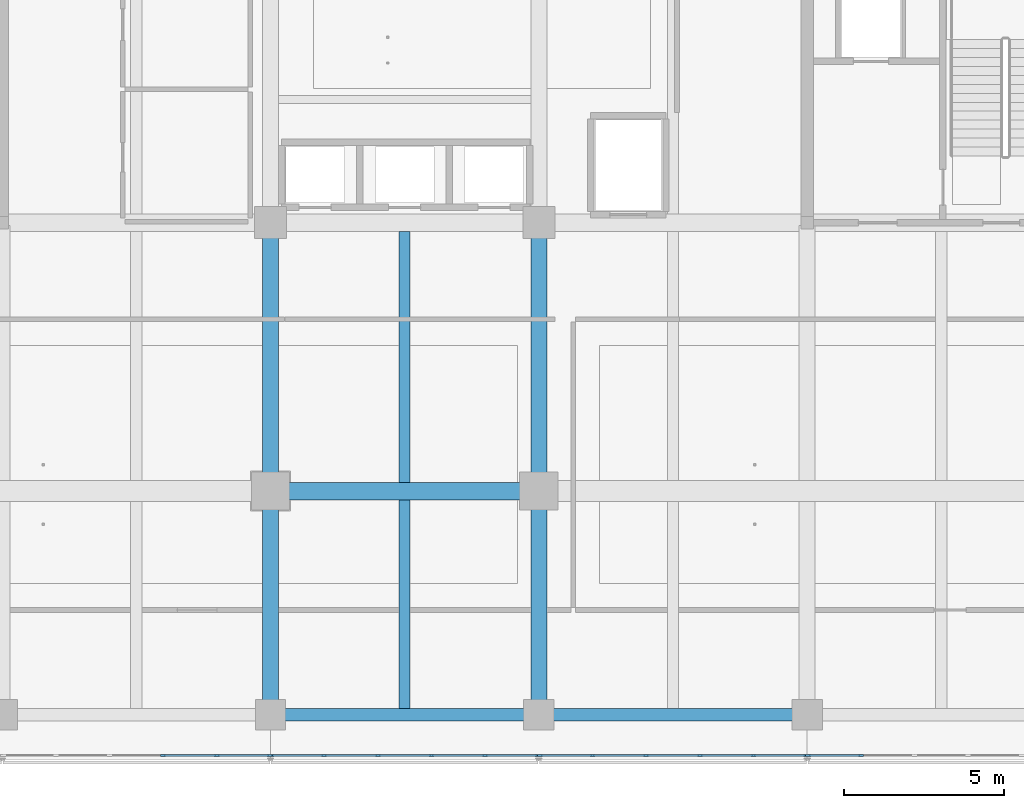
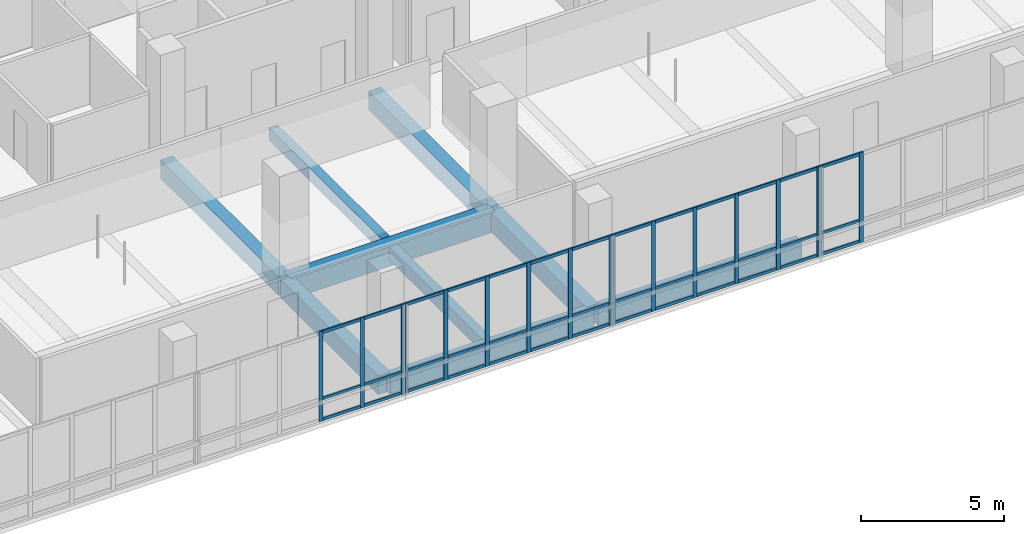
# One storey, part 19 of 128: 56 members, 9 beams, 4 elements without a shape of their own.
"""IFC4 building model written with IfcOpenShell, lengths in metres."""

import ifcopenshell
import ifcopenshell.guid

model = None  # the IFC model being written
_history = None  # IfcOwnerHistory: only IFC2X3 demands one
_inside = {}  # id of a spatial element -> (the spatial element, [elements in it])
_under = {}  # id of a project, library or spatial element -> (it, [spatial elements below it])
_declared = {}  # id of a project -> (the project, [libraries it declares])
_typed = {}  # id of a type object -> (the type object, [elements of that type])
_made_of = {}  # id of a material, layer set ... -> (it, [elements and type objects made of it])


def new_model(schema):
    """Start an empty IFC model of exactly this schema.

    Asked for "IFC4X3", IfcOpenShell would pick the latest addendum, in which some entities
    have other attributes; the version numbers below select the first issue.
    IFC2X3 requires an IfcOwnerHistory on every rooted entity: one is made here for all.
    """
    global model, _history
    if schema == "IFC4X3":
        model = ifcopenshell.file(schema_version=(4, 3, 0, 0))
    else:
        model = ifcopenshell.file(schema=schema)
    _inside.clear()
    _under.clear()
    _declared.clear()
    _typed.clear()
    _made_of.clear()
    _history = None
    if model.schema == "IFC2X3":
        org = make("IfcOrganization", Name="unknown")
        user = make(
            "IfcPersonAndOrganization",
            ThePerson=make("IfcPerson", FamilyName="unknown"),
            TheOrganization=org,
        )
        app = make(
            "IfcApplication",
            ApplicationDeveloper=org,
            Version="unknown",
            ApplicationFullName="unknown",
            ApplicationIdentifier="unknown",
        )
        _history = make(
            "IfcOwnerHistory",
            OwningUser=user,
            OwningApplication=app,
            ChangeAction="ADDED",
            CreationDate=0,
        )
    return model


def make(cls, **values):
    """One entity of the class cls with the attributes given. An attribute that is None is left unset."""
    return model.create_entity(
        cls, **{name: value for name, value in values.items() if value is not None}
    )


def rooted(cls, **values):
    """An entity with a GlobalId (a new one), such as an element, a storey or a relation."""
    return make(cls, GlobalId=ifcopenshell.guid.new(), OwnerHistory=_history, **values)


def si_unit(unit_type, name, prefix=None):
    """IfcSIUnit, for example si_unit("LENGTHUNIT", "METRE", prefix="MILLI")."""
    return make("IfcSIUnit", UnitType=unit_type, Prefix=prefix, Name=name)


def assignment(units):
    """IfcUnitAssignment: the units of a project."""
    return None if units is None else make("IfcUnitAssignment", Units=units)


def point(xyz):
    """IfcCartesianPoint."""
    return None if xyz is None else make("IfcCartesianPoint", Coordinates=xyz)


def direction(xyz):
    """IfcDirection."""
    return None if xyz is None else make("IfcDirection", DirectionRatios=xyz)


def frame(location, z_axis=None, x_axis=None):
    """IfcAxis2Placement3D, a coordinate frame: its origin and axes. An axis left out is left unset."""
    return make(
        "IfcAxis2Placement3D",
        Location=point(location),
        Axis=direction(z_axis),
        RefDirection=direction(x_axis),
    )


def frame_2d(location, x_axis=None):
    """IfcAxis2Placement2D, a coordinate frame in the plane: its origin and x axis."""
    return make(
        "IfcAxis2Placement2D", Location=point(location), RefDirection=direction(x_axis)
    )


def origin():
    """The frame at (0, 0, 0) with its axes left unset."""
    return frame((0.0, 0.0, 0.0))


def origin_2d():
    """The frame at (0, 0) in the plane with its x axis left unset."""
    return frame_2d((0.0, 0.0))


def place(relative_to, where):
    """IfcLocalPlacement: puts the frame where relative to a parent placement (None: the world)."""
    return make(
        "IfcLocalPlacement", PlacementRelTo=relative_to, RelativePlacement=where
    )


def context(
    kind, dimensions, precision=None, world=None, true_north=None, identifier=None
):
    """IfcGeometricRepresentationContext, for example the 3D "Model" context."""
    return make(
        "IfcGeometricRepresentationContext",
        ContextIdentifier=identifier,
        ContextType=kind,
        CoordinateSpaceDimension=dimensions,
        Precision=precision,
        WorldCoordinateSystem=world,
        TrueNorth=true_north,
    )


def subcontext(parent, identifier, kind, view, scale=None):
    """IfcGeometricRepresentationSubContext, for example "Body" below "Model"."""
    return make(
        "IfcGeometricRepresentationSubContext",
        ContextIdentifier=identifier,
        ContextType=kind,
        ParentContext=parent,
        TargetScale=scale,
        TargetView=view,
    )


def project(units=None, contexts=None):
    """IfcProject with its units and contexts."""
    return rooted(
        "IfcProject",
        Name="project",
        RepresentationContexts=contexts,
        UnitsInContext=assignment(units),
    )


def spatial(cls, under=None, at=None, **own):
    """A site, building, storey or space (cls), placed at a placement, below another one or the project."""
    s = rooted(cls, ObjectPlacement=at, **own)
    if under is not None:
        _under.setdefault(under.id(), (under, []))[1].append(s)
    return s


def profile(cls, at=None, kind="AREA", **sizes):
    """A parametric profile (cls). Its sizes go by their IFC names, for example OverallWidth=200.0."""
    return make(cls, ProfileType=kind, Position=at, **sizes)


def rectangle(**sizes):
    """IfcRectangleProfileDef."""
    return profile("IfcRectangleProfileDef", **sizes)


def extrude(swept, where, along, depth):
    """IfcExtrudedAreaSolid: the profile swept, set in the frame where, extruded along a direction by depth."""
    return make(
        "IfcExtrudedAreaSolid",
        SweptArea=swept,
        Position=where,
        ExtrudedDirection=direction(along),
        Depth=depth,
    )


def shape(context_of_items, identifier, shape_type, items):
    """IfcShapeRepresentation: the items that make up one representation, for example the "Body"."""
    return make(
        "IfcShapeRepresentation",
        ContextOfItems=context_of_items,
        RepresentationIdentifier=identifier,
        RepresentationType=shape_type,
        Items=items,
    )


def material(Name=None, Category=None):
    """IfcMaterial."""
    return make("IfcMaterial", Name=Name, Category=Category)


def layer(
    of_material, thickness, ventilated=None, Name=None, Category=None, Priority=None
):
    """IfcMaterialLayer: one layer of a wall or slab, of a material (None: an air gap)."""
    return make(
        "IfcMaterialLayer",
        Material=of_material,
        LayerThickness=thickness,
        IsVentilated=ventilated,
        Name=Name,
        Category=Category,
        Priority=Priority,
    )


def layer_set(layers, Name=None):
    """IfcMaterialLayerSet."""
    return make("IfcMaterialLayerSet", MaterialLayers=layers, LayerSetName=Name)


def material_profile(
    of_material, cross_section, Name=None, Category=None, Priority=None
):
    """IfcMaterialProfile: a cross section and its material."""
    return make(
        "IfcMaterialProfile",
        Name=Name,
        Material=of_material,
        Profile=cross_section,
        Priority=Priority,
        Category=Category,
    )


def profile_set(profiles, Name=None, composite=None):
    """IfcMaterialProfileSet."""
    return make(
        "IfcMaterialProfileSet",
        Name=Name,
        MaterialProfiles=profiles,
        CompositeProfile=composite,
    )


def made_of(thing, what):
    """Note that an element or type object is made of a material, layer set ...; save() writes the relation."""
    if what is not None:
        _made_of.setdefault(what.id(), (what, []))[1].append(thing)
    return thing


def type_object(cls, material=None, **own):
    """A type object (cls), such as IfcWallType, which elements share."""
    return made_of(rooted(cls, **own), material)


def element(
    cls,
    number,
    at=None,
    inside=None,
    cuts=None,
    type_object=None,
    material=None,
    context=None,
    identifier="Body",
    shape_type=None,
    held_by="IfcProductDefinitionShape",
    body=None,
    shapes=None,
    **own,
):
    """One element of the class cls, such as IfcWall. Its Tag is "e" and its number.

    at: its placement. inside: the storey or other place that contains it. cuts: it is an
    opening in that element (IfcRelVoidsElement). A single representation is given by context,
    identifier, shape_type and body (its items); several are given by shapes. held_by: the class
    of the entity that holds the representations. save() writes the other relations.
    """
    e = rooted(cls, Tag="e%d" % number, ObjectPlacement=at, **own)
    if body is not None:
        shapes = [shape(context, identifier, shape_type, body)]
    if shapes is not None:
        e.Representation = make(held_by, Representations=shapes)
    if inside is not None:
        _inside.setdefault(inside.id(), (inside, []))[1].append(e)
    if cuts is not None:
        rooted(
            "IfcRelVoidsElement", RelatingBuildingElement=cuts, RelatedOpeningElement=e
        )
    if type_object is not None:
        _typed.setdefault(type_object.id(), (type_object, []))[1].append(e)
    return made_of(e, material)


def aggregate(whole, parts):
    """IfcRelAggregates: a whole, such as a stair, and the parts it consists of."""
    return rooted("IfcRelAggregates", RelatingObject=whole, RelatedObjects=parts)


def save(model, path):
    """Write the relations noted so far, then the file.

    IfcRelAggregates (storeys below a building ...), IfcRelContainedInSpatialStructure (elements
    in a storey), IfcRelDefinesByType, IfcRelAssociatesMaterial and IfcRelDeclares: one each for
    every whole, place, type object, material and project.
    """
    for whole, parts in _under.values():
        aggregate(whole, parts)
    for where, things in _inside.values():
        rooted(
            "IfcRelContainedInSpatialStructure",
            RelatedElements=things,
            RelatingStructure=where,
        )
    for kind, things in _typed.values():
        rooted("IfcRelDefinesByType", RelatedObjects=things, RelatingType=kind)
    for what, things in _made_of.values():
        rooted("IfcRelAssociatesMaterial", RelatedObjects=things, RelatingMaterial=what)
    for by, libraries in _declared.values():
        rooted("IfcRelDeclares", RelatingContext=by, RelatedDefinitions=libraries)
    model.write(path)


model = new_model("IFC4")

# Units and contexts
model_context = context("Model", 3, precision=1e-05, world=origin(), true_north=direction((0.0, 1.0)))
body_context = subcontext(model_context, "Body", "Model", "MODEL_VIEW")
ifc_project = project(units=[si_unit("LENGTHUNIT", "METRE"), si_unit("AREAUNIT", "SQUARE_METRE"), si_unit("VOLUMEUNIT", "CUBIC_METRE"), si_unit("PLANEANGLEUNIT", "RADIAN"), si_unit("MASSUNIT", "GRAM", prefix="KILO")], contexts=[model_context])

# Site, building, storey
site_placement = place(None, origin())
site = spatial("IfcSite", under=ifc_project, at=site_placement, CompositionType="ELEMENT")
building_placement = place(site_placement, origin())
building = spatial("IfcBuilding", under=site, at=building_placement, Name="Telukmera Botanical Conservatory", CompositionType="ELEMENT")
storey_placement = place(building_placement, frame((0.0, 0.0, 5.39990234375)))
storey = spatial("IfcBuildingStorey", under=building, at=storey_placement, Name="L01", CompositionType="ELEMENT", Elevation=5.39990234375)

# Beams
ifc_material_1 = material(Name="Concrete C40/50", Category="concrete")
ifc_material_profile_1 = material_profile(ifc_material_1, rectangle(XDim=0.35009765625, YDim=0.550048828125, at=origin_2d()), Name="RC 350x550")
ifc_profile_set_1 = profile_set([ifc_material_profile_1], Name="Concrete C40/50")
beam_type_1 = type_object("IfcBeamType", Name="Beam_B21", PredefinedType="JOIST", material=ifc_profile_set_1)
beam_1_placement = place(storey_placement, frame((79.800048828125, 10.800048828125, -0.27490234375), z_axis=(0.0, 1.0, 0.0), x_axis=(-1.0, 0.0, 0.0)))
element("IfcBeam", 1, at=beam_1_placement, inside=storey, type_object=beam_type_1, Name="Tower Secondary Floor Joist L01", PredefinedType="JOIST", context=body_context, shape_type="SweptSolid", body=[
    extrude(rectangle(XDim=0.35009765625, YDim=0.550048828125, at=origin_2d()), origin(), (0.0, 0.0, 1.0), 6.52490234375),
])
beam_2_placement = place(storey_placement, frame((79.800048828125, 17.875, -0.27490234375), z_axis=(0.0, 1.0, 0.0), x_axis=(-1.0, 0.0, 0.0)))
element("IfcBeam", 2, at=beam_2_placement, inside=storey, type_object=beam_type_1, Name="Tower Secondary Floor Joist L01", PredefinedType="JOIST", context=body_context, shape_type="SweptSolid", body=[
    extrude(rectangle(XDim=0.35009765625, YDim=0.550048828125, at=origin_2d()), origin(), (0.0, 0.0, 1.0), 7.85009765625),
])
ifc_material_profile_2 = material_profile(ifc_material_1, rectangle(XDim=0.550048828125, YDim=0.85009765625, at=origin_2d()), Name="RC 550x850")
ifc_profile_set_2 = profile_set([ifc_material_profile_2], Name="Concrete C40/50")
beam_type_2 = type_object("IfcBeamType", Name="Beam_B4", PredefinedType="BEAM", material=ifc_profile_set_2)
beam_3_placement = place(storey_placement, frame((75.679931640625, 17.60009765625, -0.4248046875), z_axis=(1.0, 0.0, 0.0), x_axis=(0.0, 1.0, 0.0)))
element("IfcBeam", 3, at=beam_3_placement, inside=storey, type_object=beam_type_2, Name="Tower Grid Beam L01", PredefinedType="BEAM", context=body_context, shape_type="SweptSolid", body=[
    extrude(rectangle(XDim=0.550048828125, YDim=0.85009765625, at=origin_2d()), origin(), (0.0, 0.0, 1.0), 8.239990234375),
])
ifc_material_profile_3 = material_profile(ifc_material_1, rectangle(XDim=0.5, YDim=0.800048828125, at=origin_2d()), Name="RC 500x800")
ifc_profile_set_3 = profile_set([ifc_material_profile_3], Name="Concrete C40/50")
beam_type_3 = type_object("IfcBeamType", Name="Beam_B5", PredefinedType="BEAM", material=ifc_profile_set_3)
beam_4_placement = place(storey_placement, frame((75.60009765625, 10.679931640625, -0.39990234375), z_axis=(0.0, 1.0, 0.0), x_axis=(-1.0, 0.0, 0.0)))
element("IfcBeam", 4, at=beam_4_placement, inside=storey, type_object=beam_type_3, Name="Tower Transverse Beam L01", PredefinedType="BEAM", context=body_context, shape_type="SweptSolid", body=[
    extrude(rectangle(XDim=0.5, YDim=0.800048828125, at=origin_2d()), origin(), (0.0, 0.0, 1.0), 6.840087890625),
])
beam_5_placement = place(storey_placement, frame((75.60009765625, 17.679931640625, -0.39990234375), z_axis=(0.0, 1.0, 0.0), x_axis=(-1.0, 0.0, 0.0)))
element("IfcBeam", 5, at=beam_5_placement, inside=storey, type_object=beam_type_3, Name="Tower Transverse Beam L01", PredefinedType="BEAM", context=body_context, shape_type="SweptSolid", body=[
    extrude(rectangle(XDim=0.5, YDim=0.800048828125, at=origin_2d()), origin(), (0.0, 0.0, 1.0), 8.239990234375),
])
beam_6_placement = place(storey_placement, frame((84.0, 10.679931640625, -0.39990234375), z_axis=(0.0, 1.0, 0.0), x_axis=(-1.0, 0.0, 0.0)))
element("IfcBeam", 6, at=beam_6_placement, inside=storey, type_object=beam_type_3, Name="Tower Transverse Beam L01", PredefinedType="BEAM", context=body_context, shape_type="SweptSolid", body=[
    extrude(rectangle(XDim=0.5, YDim=0.800048828125, at=origin_2d()), origin(), (0.0, 0.0, 1.0), 6.840087890625),
])
beam_7_placement = place(storey_placement, frame((84.0, 17.679931640625, -0.39990234375), z_axis=(0.0, 1.0, 0.0), x_axis=(-1.0, 0.0, 0.0)))
element("IfcBeam", 7, at=beam_7_placement, inside=storey, type_object=beam_type_3, Name="Tower Transverse Beam L01", PredefinedType="BEAM", context=body_context, shape_type="SweptSolid", body=[
    extrude(rectangle(XDim=0.5, YDim=0.800048828125, at=origin_2d()), origin(), (0.0, 0.0, 1.0), 8.239990234375),
])
ifc_material_2 = material(Name="Precast concrete C40/50", Category="concrete")
ifc_material_profile_4 = material_profile(ifc_material_2, rectangle(XDim=0.39990234375, YDim=0.75, at=origin_2d()), Name="PC 400x750")
ifc_profile_set_4 = profile_set([ifc_material_profile_4], Name="Precast concrete C40/50")
beam_type_4 = type_object("IfcBeamType", Name="Beam_SP1", PredefinedType="SPANDREL", material=ifc_profile_set_4)
for number, where, z_axis, x_axis, name in (
    (8, (75.679931640625, 10.60009765625, -0.375), (1.0, 0.0, 0.0), (0.0, 1.0, 0.0), "Tower Grid Beam L01"),
    (9, (84.080078125, 10.60009765625, -0.375), (1.0, 0.0, 0.0), (0.0, 1.0, 0.0), "Tower Grid Beam L01"),
):
    element("IfcBeam", number, at=place(storey_placement, frame(where, z_axis=z_axis, x_axis=x_axis)), inside=storey, type_object=beam_type_4, Name=name, PredefinedType="SPANDREL", context=body_context, shape_type="SweptSolid", body=[
        extrude(rectangle(XDim=0.39990234375, YDim=0.75, at=origin_2d()), origin(), (0.0, 0.0, 1.0), 8.239990234375),
    ])

# Curtain wall, members
ifc_material_3 = material(Name="Anodised aluminium 6063-T6", Category="aluminium")
ifc_layer = layer(ifc_material_3, 0.179931640625)
ifc_layer_set = layer_set([ifc_layer], Name="Anodised aluminium 6063-T6")
curtain_wall_type = type_object("IfcCurtainWallType", Name="Tower Reference Library Curtain Wall", PredefinedType="USERDEFINED", material=ifc_layer_set)
curtain_wall_1_placement = place(storey_placement, origin())
curtain_wall_1 = element("IfcCurtainWall", 10, at=curtain_wall_1_placement, inside=storey, type_object=curtain_wall_type, Name="Unitised Curtain Wall CW13 V4:L01:S3", ObjectType="UNITISED CURTAIN WALL", PredefinedType="USERDEFINED")
ifc_material_profile_5 = material_profile(ifc_material_3, rectangle(XDim=0.06494140625, YDim=0.159912109375, at=origin_2d()), Name="ALU MULL 65x160")
ifc_profile_set_5 = profile_set([ifc_material_profile_5], Name="Anodised aluminium 6063-T6")
member_type_1 = type_object("IfcMemberType", Name="Curtain Wall Extruded Mullion 65x160", PredefinedType="MULLION", material=ifc_profile_set_5)
member_1_placement = place(storey_placement, frame((72.239501953125, 9.320068359375, 0.0), z_axis=(0.0, 0.0, 1.0), x_axis=(0.0, 1.0, 0.0)))
member_1 = element("IfcMember", 11, at=member_1_placement, type_object=member_type_1, Name="CW13 mullion 4", PredefinedType="MULLION", context=body_context, shape_type="SweptSolid", body=[
    extrude(rectangle(XDim=0.06494140625, YDim=0.159912109375, at=origin_2d()), origin(), (0.0, 0.0, 1.0), 3.85009765625),
])
member_2_placement = place(storey_placement, frame((73.918701171875, 9.320068359375, 0.0), z_axis=(0.0, 0.0, 1.0), x_axis=(0.0, 1.0, 0.0)))
member_2 = element("IfcMember", 12, at=member_2_placement, type_object=member_type_1, Name="CW13 mullion 5", PredefinedType="MULLION", context=body_context, shape_type="SweptSolid", body=[
    extrude(rectangle(XDim=0.06494140625, YDim=0.159912109375, at=origin_2d()), origin(), (0.0, 0.0, 1.0), 3.85009765625),
])
member_3_placement = place(storey_placement, frame((75.5654296875, 9.320068359375, 0.0), z_axis=(0.0, 0.0, 1.0), x_axis=(0.0, 1.0, 0.0)))
member_3 = element("IfcMember", 13, at=member_3_placement, type_object=member_type_1, Name="CW13 mullion 6", PredefinedType="MULLION", context=body_context, shape_type="SweptSolid", body=[
    extrude(rectangle(XDim=0.06494140625, YDim=0.159912109375, at=origin_2d()), origin(), (0.0, 0.0, 1.0), 3.85009765625),
])

curtain_wall_2_placement = place(storey_placement, origin())
curtain_wall_2 = element("IfcCurtainWall", 14, at=curtain_wall_2_placement, inside=storey, type_object=curtain_wall_type, Name="Unitised Curtain Wall CW13 V4:L01:S4", ObjectType="UNITISED CURTAIN WALL", PredefinedType="USERDEFINED")
member_4_placement = place(storey_placement, frame((75.634521484375, 9.320068359375, 0.0), z_axis=(0.0, 0.0, 1.0), x_axis=(0.0, 1.0, 0.0)))
member_4 = element("IfcMember", 15, at=member_4_placement, type_object=member_type_1, Name="CW13 mullion 1", PredefinedType="MULLION", context=body_context, shape_type="SweptSolid", body=[
    extrude(rectangle(XDim=0.06494140625, YDim=0.159912109375, at=origin_2d()), origin(), (0.0, 0.0, 1.0), 3.85009765625),
])
member_5_placement = place(storey_placement, frame((77.28125, 9.320068359375, 0.0), z_axis=(0.0, 0.0, 1.0), x_axis=(0.0, 1.0, 0.0)))
member_5 = element("IfcMember", 16, at=member_5_placement, type_object=member_type_1, Name="CW13 mullion 2", PredefinedType="MULLION", context=body_context, shape_type="SweptSolid", body=[
    extrude(rectangle(XDim=0.06494140625, YDim=0.159912109375, at=origin_2d()), origin(), (0.0, 0.0, 1.0), 3.85009765625),
])
member_6_placement = place(storey_placement, frame((78.96044921875, 9.320068359375, 0.0), z_axis=(0.0, 0.0, 1.0), x_axis=(0.0, 1.0, 0.0)))
member_6 = element("IfcMember", 17, at=member_6_placement, type_object=member_type_1, Name="CW13 mullion 3", PredefinedType="MULLION", context=body_context, shape_type="SweptSolid", body=[
    extrude(rectangle(XDim=0.06494140625, YDim=0.159912109375, at=origin_2d()), origin(), (0.0, 0.0, 1.0), 3.85009765625),
])
member_7_placement = place(storey_placement, frame((80.6396484375, 9.320068359375, 0.0), z_axis=(0.0, 0.0, 1.0), x_axis=(0.0, 1.0, 0.0)))
member_7 = element("IfcMember", 18, at=member_7_placement, type_object=member_type_1, Name="CW13 mullion 4", PredefinedType="MULLION", context=body_context, shape_type="SweptSolid", body=[
    extrude(rectangle(XDim=0.06494140625, YDim=0.159912109375, at=origin_2d()), origin(), (0.0, 0.0, 1.0), 3.85009765625),
])
member_8_placement = place(storey_placement, frame((82.31884765625, 9.320068359375, 0.0), z_axis=(0.0, 0.0, 1.0), x_axis=(0.0, 1.0, 0.0)))
member_8 = element("IfcMember", 19, at=member_8_placement, type_object=member_type_1, Name="CW13 mullion 5", PredefinedType="MULLION", context=body_context, shape_type="SweptSolid", body=[
    extrude(rectangle(XDim=0.06494140625, YDim=0.159912109375, at=origin_2d()), origin(), (0.0, 0.0, 1.0), 3.85009765625),
])
member_9_placement = place(storey_placement, frame((83.965576171875, 9.320068359375, 0.0), z_axis=(0.0, 0.0, 1.0), x_axis=(0.0, 1.0, 0.0)))
member_9 = element("IfcMember", 20, at=member_9_placement, type_object=member_type_1, Name="CW13 mullion 6", PredefinedType="MULLION", context=body_context, shape_type="SweptSolid", body=[
    extrude(rectangle(XDim=0.06494140625, YDim=0.159912109375, at=origin_2d()), origin(), (0.0, 0.0, 1.0), 3.85009765625),
])

curtain_wall_3_placement = place(storey_placement, origin())
curtain_wall_3 = element("IfcCurtainWall", 21, at=curtain_wall_3_placement, inside=storey, type_object=curtain_wall_type, Name="Unitised Curtain Wall CW13 V4:L01:S5", ObjectType="UNITISED CURTAIN WALL", PredefinedType="USERDEFINED")
member_10_placement = place(storey_placement, frame((84.034423828125, 9.320068359375, 0.0), z_axis=(0.0, 0.0, 1.0), x_axis=(0.0, 1.0, 0.0)))
member_10 = element("IfcMember", 22, at=member_10_placement, type_object=member_type_1, Name="CW13 mullion 1", PredefinedType="MULLION", context=body_context, shape_type="SweptSolid", body=[
    extrude(rectangle(XDim=0.06494140625, YDim=0.159912109375, at=origin_2d()), origin(), (0.0, 0.0, 1.0), 3.85009765625),
])
member_11_placement = place(storey_placement, frame((85.68115234375, 9.320068359375, 0.0), z_axis=(0.0, 0.0, 1.0), x_axis=(0.0, 1.0, 0.0)))
member_11 = element("IfcMember", 23, at=member_11_placement, type_object=member_type_1, Name="CW13 mullion 2", PredefinedType="MULLION", context=body_context, shape_type="SweptSolid", body=[
    extrude(rectangle(XDim=0.06494140625, YDim=0.159912109375, at=origin_2d()), origin(), (0.0, 0.0, 1.0), 3.85009765625),
])
member_12_placement = place(storey_placement, frame((87.3603515625, 9.320068359375, 0.0), z_axis=(0.0, 0.0, 1.0), x_axis=(0.0, 1.0, 0.0)))
member_12 = element("IfcMember", 24, at=member_12_placement, type_object=member_type_1, Name="CW13 mullion 3", PredefinedType="MULLION", context=body_context, shape_type="SweptSolid", body=[
    extrude(rectangle(XDim=0.06494140625, YDim=0.159912109375, at=origin_2d()), origin(), (0.0, 0.0, 1.0), 3.85009765625),
])
member_13_placement = place(storey_placement, frame((89.03955078125, 9.320068359375, 0.0), z_axis=(0.0, 0.0, 1.0), x_axis=(0.0, 1.0, 0.0)))
member_13 = element("IfcMember", 25, at=member_13_placement, type_object=member_type_1, Name="CW13 mullion 4", PredefinedType="MULLION", context=body_context, shape_type="SweptSolid", body=[
    extrude(rectangle(XDim=0.06494140625, YDim=0.159912109375, at=origin_2d()), origin(), (0.0, 0.0, 1.0), 3.85009765625),
])
member_14_placement = place(storey_placement, frame((90.71875, 9.320068359375, 0.0), z_axis=(0.0, 0.0, 1.0), x_axis=(0.0, 1.0, 0.0)))
member_14 = element("IfcMember", 26, at=member_14_placement, type_object=member_type_1, Name="CW13 mullion 5", PredefinedType="MULLION", context=body_context, shape_type="SweptSolid", body=[
    extrude(rectangle(XDim=0.06494140625, YDim=0.159912109375, at=origin_2d()), origin(), (0.0, 0.0, 1.0), 3.85009765625),
])
member_15_placement = place(storey_placement, frame((92.365478515625, 9.320068359375, 0.0), z_axis=(0.0, 0.0, 1.0), x_axis=(0.0, 1.0, 0.0)))
member_15 = element("IfcMember", 27, at=member_15_placement, type_object=member_type_1, Name="CW13 mullion 6", PredefinedType="MULLION", context=body_context, shape_type="SweptSolid", body=[
    extrude(rectangle(XDim=0.06494140625, YDim=0.159912109375, at=origin_2d()), origin(), (0.0, 0.0, 1.0), 3.85009765625),
])

curtain_wall_4_placement = place(storey_placement, origin())
curtain_wall_4 = element("IfcCurtainWall", 28, at=curtain_wall_4_placement, inside=storey, type_object=curtain_wall_type, Name="Unitised Curtain Wall CW13 V4:L01:S6", ObjectType="UNITISED CURTAIN WALL", PredefinedType="USERDEFINED")
member_16_placement = place(storey_placement, frame((92.4345703125, 9.320068359375, 0.0), z_axis=(0.0, 0.0, 1.0), x_axis=(0.0, 1.0, 0.0)))
member_16 = element("IfcMember", 29, at=member_16_placement, type_object=member_type_1, Name="CW13 mullion 1", PredefinedType="MULLION", context=body_context, shape_type="SweptSolid", body=[
    extrude(rectangle(XDim=0.06494140625, YDim=0.159912109375, at=origin_2d()), origin(), (0.0, 0.0, 1.0), 3.85009765625),
])
member_17_placement = place(storey_placement, frame((94.081298828125, 9.320068359375, 0.0), z_axis=(0.0, 0.0, 1.0), x_axis=(0.0, 1.0, 0.0)))
member_17 = element("IfcMember", 30, at=member_17_placement, type_object=member_type_1, Name="CW13 mullion 2", PredefinedType="MULLION", context=body_context, shape_type="SweptSolid", body=[
    extrude(rectangle(XDim=0.06494140625, YDim=0.159912109375, at=origin_2d()), origin(), (0.0, 0.0, 1.0), 3.85009765625),
])

# Member
ifc_material_profile_6 = material_profile(ifc_material_3, rectangle(XDim=0.06494140625, YDim=0.1298828125, at=origin_2d()), Name="ALU TRAN 65x130")
ifc_profile_set_6 = profile_set([ifc_material_profile_6], Name="Anodised aluminium 6063-T6")
member_type_2 = type_object("IfcMemberType", Name="Curtain Wall Extruded Transom 65x130", PredefinedType="USERDEFINED", material=ifc_profile_set_6)
member_18_placement = place(storey_placement, frame((72.272216796875, 9.320068359375, 0.065185546875), z_axis=(1.0, 0.0, 0.0), x_axis=(0.0, 1.0, 0.0)))
member_18 = element("IfcMember", 31, at=member_18_placement, type_object=member_type_2, Name="CW13 transom 4.1", ObjectType="TRANSOM", PredefinedType="USERDEFINED", context=body_context, shape_type="SweptSolid", body=[
    extrude(rectangle(XDim=0.06494140625, YDim=0.1298828125, at=origin_2d()), origin(), (0.0, 0.0, 1.0), 1.614013671875),
])

member_19_placement = place(storey_placement, frame((72.272216796875, 9.320068359375, 0.9501953125), z_axis=(1.0, 0.0, 0.0), x_axis=(0.0, 1.0, 0.0)))
member_19 = element("IfcMember", 32, at=member_19_placement, type_object=member_type_2, Name="CW13 transom 4.2", ObjectType="TRANSOM", PredefinedType="USERDEFINED", context=body_context, shape_type="SweptSolid", body=[
    extrude(rectangle(XDim=0.06494140625, YDim=0.1298828125, at=origin_2d()), origin(), (0.0, 0.0, 1.0), 1.614013671875),
])

member_20_placement = place(storey_placement, frame((72.272216796875, 9.320068359375, 3.78515625), z_axis=(1.0, 0.0, 0.0), x_axis=(0.0, 1.0, 0.0)))
member_20 = element("IfcMember", 33, at=member_20_placement, type_object=member_type_2, Name="CW13 transom 4.3", ObjectType="TRANSOM", PredefinedType="USERDEFINED", context=body_context, shape_type="SweptSolid", body=[
    extrude(rectangle(XDim=0.06494140625, YDim=0.1298828125, at=origin_2d()), origin(), (0.0, 0.0, 1.0), 1.614013671875),
])

member_21_placement = place(storey_placement, frame((73.951416015625, 9.320068359375, 0.065185546875), z_axis=(1.0, 0.0, 0.0), x_axis=(0.0, 1.0, 0.0)))
member_21 = element("IfcMember", 34, at=member_21_placement, type_object=member_type_2, Name="CW13 transom 5.1", ObjectType="TRANSOM", PredefinedType="USERDEFINED", context=body_context, shape_type="SweptSolid", body=[
    extrude(rectangle(XDim=0.06494140625, YDim=0.1298828125, at=origin_2d()), origin(), (0.0, 0.0, 1.0), 1.58154296875),
])

member_22_placement = place(storey_placement, frame((73.951416015625, 9.320068359375, 0.9501953125), z_axis=(1.0, 0.0, 0.0), x_axis=(0.0, 1.0, 0.0)))
member_22 = element("IfcMember", 35, at=member_22_placement, type_object=member_type_2, Name="CW13 transom 5.2", ObjectType="TRANSOM", PredefinedType="USERDEFINED", context=body_context, shape_type="SweptSolid", body=[
    extrude(rectangle(XDim=0.06494140625, YDim=0.1298828125, at=origin_2d()), origin(), (0.0, 0.0, 1.0), 1.58154296875),
])

member_23_placement = place(storey_placement, frame((73.951416015625, 9.320068359375, 3.78515625), z_axis=(1.0, 0.0, 0.0), x_axis=(0.0, 1.0, 0.0)))
member_23 = element("IfcMember", 36, at=member_23_placement, type_object=member_type_2, Name="CW13 transom 5.3", ObjectType="TRANSOM", PredefinedType="USERDEFINED", context=body_context, shape_type="SweptSolid", body=[
    extrude(rectangle(XDim=0.06494140625, YDim=0.1298828125, at=origin_2d()), origin(), (0.0, 0.0, 1.0), 1.58154296875),
])

aggregate(curtain_wall_1, [member_1, member_2, member_3, member_18, member_19, member_20, member_21, member_22, member_23])

member_24_placement = place(storey_placement, frame((75.6669921875, 9.320068359375, 0.065185546875), z_axis=(1.0, 0.0, 0.0), x_axis=(0.0, 1.0, 0.0)))
member_24 = element("IfcMember", 37, at=member_24_placement, type_object=member_type_2, Name="CW13 transom 1.1", ObjectType="TRANSOM", PredefinedType="USERDEFINED", context=body_context, shape_type="SweptSolid", body=[
    extrude(rectangle(XDim=0.06494140625, YDim=0.1298828125, at=origin_2d()), origin(), (0.0, 0.0, 1.0), 1.581787109375),
])

member_25_placement = place(storey_placement, frame((75.6669921875, 9.320068359375, 0.9501953125), z_axis=(1.0, 0.0, 0.0), x_axis=(0.0, 1.0, 0.0)))
member_25 = element("IfcMember", 38, at=member_25_placement, type_object=member_type_2, Name="CW13 transom 1.2", ObjectType="TRANSOM", PredefinedType="USERDEFINED", context=body_context, shape_type="SweptSolid", body=[
    extrude(rectangle(XDim=0.06494140625, YDim=0.1298828125, at=origin_2d()), origin(), (0.0, 0.0, 1.0), 1.581787109375),
])

member_26_placement = place(storey_placement, frame((75.6669921875, 9.320068359375, 3.78515625), z_axis=(1.0, 0.0, 0.0), x_axis=(0.0, 1.0, 0.0)))
member_26 = element("IfcMember", 39, at=member_26_placement, type_object=member_type_2, Name="CW13 transom 1.3", ObjectType="TRANSOM", PredefinedType="USERDEFINED", context=body_context, shape_type="SweptSolid", body=[
    extrude(rectangle(XDim=0.06494140625, YDim=0.1298828125, at=origin_2d()), origin(), (0.0, 0.0, 1.0), 1.581787109375),
])

member_27_placement = place(storey_placement, frame((77.313720703125, 9.320068359375, 0.065185546875), z_axis=(1.0, 0.0, 0.0), x_axis=(0.0, 1.0, 0.0)))
member_27 = element("IfcMember", 40, at=member_27_placement, type_object=member_type_2, Name="CW13 transom 2.1", ObjectType="TRANSOM", PredefinedType="USERDEFINED", context=body_context, shape_type="SweptSolid", body=[
    extrude(rectangle(XDim=0.06494140625, YDim=0.1298828125, at=origin_2d()), origin(), (0.0, 0.0, 1.0), 1.6142578125),
])

member_28_placement = place(storey_placement, frame((77.313720703125, 9.320068359375, 0.9501953125), z_axis=(1.0, 0.0, 0.0), x_axis=(0.0, 1.0, 0.0)))
member_28 = element("IfcMember", 41, at=member_28_placement, type_object=member_type_2, Name="CW13 transom 2.2", ObjectType="TRANSOM", PredefinedType="USERDEFINED", context=body_context, shape_type="SweptSolid", body=[
    extrude(rectangle(XDim=0.06494140625, YDim=0.1298828125, at=origin_2d()), origin(), (0.0, 0.0, 1.0), 1.6142578125),
])

member_29_placement = place(storey_placement, frame((77.313720703125, 9.320068359375, 3.78515625), z_axis=(1.0, 0.0, 0.0), x_axis=(0.0, 1.0, 0.0)))
member_29 = element("IfcMember", 42, at=member_29_placement, type_object=member_type_2, Name="CW13 transom 2.3", ObjectType="TRANSOM", PredefinedType="USERDEFINED", context=body_context, shape_type="SweptSolid", body=[
    extrude(rectangle(XDim=0.06494140625, YDim=0.1298828125, at=origin_2d()), origin(), (0.0, 0.0, 1.0), 1.6142578125),
])

member_30_placement = place(storey_placement, frame((78.992919921875, 9.320068359375, 0.065185546875), z_axis=(1.0, 0.0, 0.0), x_axis=(0.0, 1.0, 0.0)))
member_30 = element("IfcMember", 43, at=member_30_placement, type_object=member_type_2, Name="CW13 transom 3.1", ObjectType="TRANSOM", PredefinedType="USERDEFINED", context=body_context, shape_type="SweptSolid", body=[
    extrude(rectangle(XDim=0.06494140625, YDim=0.1298828125, at=origin_2d()), origin(), (0.0, 0.0, 1.0), 1.6142578125),
])

member_31_placement = place(storey_placement, frame((78.992919921875, 9.320068359375, 0.9501953125), z_axis=(1.0, 0.0, 0.0), x_axis=(0.0, 1.0, 0.0)))
member_31 = element("IfcMember", 44, at=member_31_placement, type_object=member_type_2, Name="CW13 transom 3.2", ObjectType="TRANSOM", PredefinedType="USERDEFINED", context=body_context, shape_type="SweptSolid", body=[
    extrude(rectangle(XDim=0.06494140625, YDim=0.1298828125, at=origin_2d()), origin(), (0.0, 0.0, 1.0), 1.6142578125),
])

member_32_placement = place(storey_placement, frame((78.992919921875, 9.320068359375, 3.78515625), z_axis=(1.0, 0.0, 0.0), x_axis=(0.0, 1.0, 0.0)))
member_32 = element("IfcMember", 45, at=member_32_placement, type_object=member_type_2, Name="CW13 transom 3.3", ObjectType="TRANSOM", PredefinedType="USERDEFINED", context=body_context, shape_type="SweptSolid", body=[
    extrude(rectangle(XDim=0.06494140625, YDim=0.1298828125, at=origin_2d()), origin(), (0.0, 0.0, 1.0), 1.6142578125),
])

member_33_placement = place(storey_placement, frame((80.672119140625, 9.320068359375, 0.065185546875), z_axis=(1.0, 0.0, 0.0), x_axis=(0.0, 1.0, 0.0)))
member_33 = element("IfcMember", 46, at=member_33_placement, type_object=member_type_2, Name="CW13 transom 4.1", ObjectType="TRANSOM", PredefinedType="USERDEFINED", context=body_context, shape_type="SweptSolid", body=[
    extrude(rectangle(XDim=0.06494140625, YDim=0.1298828125, at=origin_2d()), origin(), (0.0, 0.0, 1.0), 1.6142578125),
])

member_34_placement = place(storey_placement, frame((80.672119140625, 9.320068359375, 0.9501953125), z_axis=(1.0, 0.0, 0.0), x_axis=(0.0, 1.0, 0.0)))
member_34 = element("IfcMember", 47, at=member_34_placement, type_object=member_type_2, Name="CW13 transom 4.2", ObjectType="TRANSOM", PredefinedType="USERDEFINED", context=body_context, shape_type="SweptSolid", body=[
    extrude(rectangle(XDim=0.06494140625, YDim=0.1298828125, at=origin_2d()), origin(), (0.0, 0.0, 1.0), 1.6142578125),
])

member_35_placement = place(storey_placement, frame((80.672119140625, 9.320068359375, 3.78515625), z_axis=(1.0, 0.0, 0.0), x_axis=(0.0, 1.0, 0.0)))
member_35 = element("IfcMember", 48, at=member_35_placement, type_object=member_type_2, Name="CW13 transom 4.3", ObjectType="TRANSOM", PredefinedType="USERDEFINED", context=body_context, shape_type="SweptSolid", body=[
    extrude(rectangle(XDim=0.06494140625, YDim=0.1298828125, at=origin_2d()), origin(), (0.0, 0.0, 1.0), 1.6142578125),
])

member_36_placement = place(storey_placement, frame((82.351318359375, 9.320068359375, 0.065185546875), z_axis=(1.0, 0.0, 0.0), x_axis=(0.0, 1.0, 0.0)))
member_36 = element("IfcMember", 49, at=member_36_placement, type_object=member_type_2, Name="CW13 transom 5.1", ObjectType="TRANSOM", PredefinedType="USERDEFINED", context=body_context, shape_type="SweptSolid", body=[
    extrude(rectangle(XDim=0.06494140625, YDim=0.1298828125, at=origin_2d()), origin(), (0.0, 0.0, 1.0), 1.581787109375),
])

member_37_placement = place(storey_placement, frame((82.351318359375, 9.320068359375, 0.9501953125), z_axis=(1.0, 0.0, 0.0), x_axis=(0.0, 1.0, 0.0)))
member_37 = element("IfcMember", 50, at=member_37_placement, type_object=member_type_2, Name="CW13 transom 5.2", ObjectType="TRANSOM", PredefinedType="USERDEFINED", context=body_context, shape_type="SweptSolid", body=[
    extrude(rectangle(XDim=0.06494140625, YDim=0.1298828125, at=origin_2d()), origin(), (0.0, 0.0, 1.0), 1.581787109375),
])

member_38_placement = place(storey_placement, frame((82.351318359375, 9.320068359375, 3.78515625), z_axis=(1.0, 0.0, 0.0), x_axis=(0.0, 1.0, 0.0)))
member_38 = element("IfcMember", 51, at=member_38_placement, type_object=member_type_2, Name="CW13 transom 5.3", ObjectType="TRANSOM", PredefinedType="USERDEFINED", context=body_context, shape_type="SweptSolid", body=[
    extrude(rectangle(XDim=0.06494140625, YDim=0.1298828125, at=origin_2d()), origin(), (0.0, 0.0, 1.0), 1.581787109375),
])

aggregate(curtain_wall_2, [member_4, member_5, member_6, member_7, member_8, member_9, member_24, member_25, member_26, member_27, member_28, member_29, member_30, member_31, member_32, member_33, member_34, member_35, member_36, member_37, member_38])

member_39_placement = place(storey_placement, frame((84.06689453125, 9.320068359375, 0.065185546875), z_axis=(1.0, 0.0, 0.0), x_axis=(0.0, 1.0, 0.0)))
member_39 = element("IfcMember", 52, at=member_39_placement, type_object=member_type_2, Name="CW13 transom 1.1", ObjectType="TRANSOM", PredefinedType="USERDEFINED", context=body_context, shape_type="SweptSolid", body=[
    extrude(rectangle(XDim=0.06494140625, YDim=0.1298828125, at=origin_2d()), origin(), (0.0, 0.0, 1.0), 1.581787109375),
])

member_40_placement = place(storey_placement, frame((84.06689453125, 9.320068359375, 0.9501953125), z_axis=(1.0, 0.0, 0.0), x_axis=(0.0, 1.0, 0.0)))
member_40 = element("IfcMember", 53, at=member_40_placement, type_object=member_type_2, Name="CW13 transom 1.2", ObjectType="TRANSOM", PredefinedType="USERDEFINED", context=body_context, shape_type="SweptSolid", body=[
    extrude(rectangle(XDim=0.06494140625, YDim=0.1298828125, at=origin_2d()), origin(), (0.0, 0.0, 1.0), 1.581787109375),
])

member_41_placement = place(storey_placement, frame((84.06689453125, 9.320068359375, 3.78515625), z_axis=(1.0, 0.0, 0.0), x_axis=(0.0, 1.0, 0.0)))
member_41 = element("IfcMember", 54, at=member_41_placement, type_object=member_type_2, Name="CW13 transom 1.3", ObjectType="TRANSOM", PredefinedType="USERDEFINED", context=body_context, shape_type="SweptSolid", body=[
    extrude(rectangle(XDim=0.06494140625, YDim=0.1298828125, at=origin_2d()), origin(), (0.0, 0.0, 1.0), 1.581787109375),
])

member_42_placement = place(storey_placement, frame((85.713623046875, 9.320068359375, 0.065185546875), z_axis=(1.0, 0.0, 0.0), x_axis=(0.0, 1.0, 0.0)))
member_42 = element("IfcMember", 55, at=member_42_placement, type_object=member_type_2, Name="CW13 transom 2.1", ObjectType="TRANSOM", PredefinedType="USERDEFINED", context=body_context, shape_type="SweptSolid", body=[
    extrude(rectangle(XDim=0.06494140625, YDim=0.1298828125, at=origin_2d()), origin(), (0.0, 0.0, 1.0), 1.6142578125),
])

member_43_placement = place(storey_placement, frame((85.713623046875, 9.320068359375, 0.9501953125), z_axis=(1.0, 0.0, 0.0), x_axis=(0.0, 1.0, 0.0)))
member_43 = element("IfcMember", 56, at=member_43_placement, type_object=member_type_2, Name="CW13 transom 2.2", ObjectType="TRANSOM", PredefinedType="USERDEFINED", context=body_context, shape_type="SweptSolid", body=[
    extrude(rectangle(XDim=0.06494140625, YDim=0.1298828125, at=origin_2d()), origin(), (0.0, 0.0, 1.0), 1.6142578125),
])

member_44_placement = place(storey_placement, frame((85.713623046875, 9.320068359375, 3.78515625), z_axis=(1.0, 0.0, 0.0), x_axis=(0.0, 1.0, 0.0)))
member_44 = element("IfcMember", 57, at=member_44_placement, type_object=member_type_2, Name="CW13 transom 2.3", ObjectType="TRANSOM", PredefinedType="USERDEFINED", context=body_context, shape_type="SweptSolid", body=[
    extrude(rectangle(XDim=0.06494140625, YDim=0.1298828125, at=origin_2d()), origin(), (0.0, 0.0, 1.0), 1.6142578125),
])

member_45_placement = place(storey_placement, frame((87.392822265625, 9.320068359375, 0.065185546875), z_axis=(1.0, 0.0, 0.0), x_axis=(0.0, 1.0, 0.0)))
member_45 = element("IfcMember", 58, at=member_45_placement, type_object=member_type_2, Name="CW13 transom 3.1", ObjectType="TRANSOM", PredefinedType="USERDEFINED", context=body_context, shape_type="SweptSolid", body=[
    extrude(rectangle(XDim=0.06494140625, YDim=0.1298828125, at=origin_2d()), origin(), (0.0, 0.0, 1.0), 1.6142578125),
])

member_46_placement = place(storey_placement, frame((87.392822265625, 9.320068359375, 0.9501953125), z_axis=(1.0, 0.0, 0.0), x_axis=(0.0, 1.0, 0.0)))
member_46 = element("IfcMember", 59, at=member_46_placement, type_object=member_type_2, Name="CW13 transom 3.2", ObjectType="TRANSOM", PredefinedType="USERDEFINED", context=body_context, shape_type="SweptSolid", body=[
    extrude(rectangle(XDim=0.06494140625, YDim=0.1298828125, at=origin_2d()), origin(), (0.0, 0.0, 1.0), 1.6142578125),
])

member_47_placement = place(storey_placement, frame((87.392822265625, 9.320068359375, 3.78515625), z_axis=(1.0, 0.0, 0.0), x_axis=(0.0, 1.0, 0.0)))
member_47 = element("IfcMember", 60, at=member_47_placement, type_object=member_type_2, Name="CW13 transom 3.3", ObjectType="TRANSOM", PredefinedType="USERDEFINED", context=body_context, shape_type="SweptSolid", body=[
    extrude(rectangle(XDim=0.06494140625, YDim=0.1298828125, at=origin_2d()), origin(), (0.0, 0.0, 1.0), 1.6142578125),
])

member_48_placement = place(storey_placement, frame((89.072021484375, 9.320068359375, 0.065185546875), z_axis=(1.0, 0.0, 0.0), x_axis=(0.0, 1.0, 0.0)))
member_48 = element("IfcMember", 61, at=member_48_placement, type_object=member_type_2, Name="CW13 transom 4.1", ObjectType="TRANSOM", PredefinedType="USERDEFINED", context=body_context, shape_type="SweptSolid", body=[
    extrude(rectangle(XDim=0.06494140625, YDim=0.1298828125, at=origin_2d()), origin(), (0.0, 0.0, 1.0), 1.6142578125),
])

member_49_placement = place(storey_placement, frame((89.072021484375, 9.320068359375, 0.9501953125), z_axis=(1.0, 0.0, 0.0), x_axis=(0.0, 1.0, 0.0)))
member_49 = element("IfcMember", 62, at=member_49_placement, type_object=member_type_2, Name="CW13 transom 4.2", ObjectType="TRANSOM", PredefinedType="USERDEFINED", context=body_context, shape_type="SweptSolid", body=[
    extrude(rectangle(XDim=0.06494140625, YDim=0.1298828125, at=origin_2d()), origin(), (0.0, 0.0, 1.0), 1.6142578125),
])

member_50_placement = place(storey_placement, frame((89.072021484375, 9.320068359375, 3.78515625), z_axis=(1.0, 0.0, 0.0), x_axis=(0.0, 1.0, 0.0)))
member_50 = element("IfcMember", 63, at=member_50_placement, type_object=member_type_2, Name="CW13 transom 4.3", ObjectType="TRANSOM", PredefinedType="USERDEFINED", context=body_context, shape_type="SweptSolid", body=[
    extrude(rectangle(XDim=0.06494140625, YDim=0.1298828125, at=origin_2d()), origin(), (0.0, 0.0, 1.0), 1.6142578125),
])

member_51_placement = place(storey_placement, frame((90.751220703125, 9.320068359375, 0.065185546875), z_axis=(1.0, 0.0, 0.0), x_axis=(0.0, 1.0, 0.0)))
member_51 = element("IfcMember", 64, at=member_51_placement, type_object=member_type_2, Name="CW13 transom 5.1", ObjectType="TRANSOM", PredefinedType="USERDEFINED", context=body_context, shape_type="SweptSolid", body=[
    extrude(rectangle(XDim=0.06494140625, YDim=0.1298828125, at=origin_2d()), origin(), (0.0, 0.0, 1.0), 1.581787109375),
])

member_52_placement = place(storey_placement, frame((90.751220703125, 9.320068359375, 0.9501953125), z_axis=(1.0, 0.0, 0.0), x_axis=(0.0, 1.0, 0.0)))
member_52 = element("IfcMember", 65, at=member_52_placement, type_object=member_type_2, Name="CW13 transom 5.2", ObjectType="TRANSOM", PredefinedType="USERDEFINED", context=body_context, shape_type="SweptSolid", body=[
    extrude(rectangle(XDim=0.06494140625, YDim=0.1298828125, at=origin_2d()), origin(), (0.0, 0.0, 1.0), 1.581787109375),
])

member_53_placement = place(storey_placement, frame((90.751220703125, 9.320068359375, 3.78515625), z_axis=(1.0, 0.0, 0.0), x_axis=(0.0, 1.0, 0.0)))
member_53 = element("IfcMember", 66, at=member_53_placement, type_object=member_type_2, Name="CW13 transom 5.3", ObjectType="TRANSOM", PredefinedType="USERDEFINED", context=body_context, shape_type="SweptSolid", body=[
    extrude(rectangle(XDim=0.06494140625, YDim=0.1298828125, at=origin_2d()), origin(), (0.0, 0.0, 1.0), 1.581787109375),
])

aggregate(curtain_wall_3, [member_10, member_11, member_12, member_13, member_14, member_15, member_39, member_40, member_41, member_42, member_43, member_44, member_45, member_46, member_47, member_48, member_49, member_50, member_51, member_52, member_53])

member_54_placement = place(storey_placement, frame((92.467041015625, 9.320068359375, 0.065185546875), z_axis=(1.0, 0.0, 0.0), x_axis=(0.0, 1.0, 0.0)))
member_54 = element("IfcMember", 67, at=member_54_placement, type_object=member_type_2, Name="CW13 transom 1.1", ObjectType="TRANSOM", PredefinedType="USERDEFINED", context=body_context, shape_type="SweptSolid", body=[
    extrude(rectangle(XDim=0.06494140625, YDim=0.1298828125, at=origin_2d()), origin(), (0.0, 0.0, 1.0), 1.58154296875),
])

member_55_placement = place(storey_placement, frame((92.467041015625, 9.320068359375, 0.9501953125), z_axis=(1.0, 0.0, 0.0), x_axis=(0.0, 1.0, 0.0)))
member_55 = element("IfcMember", 68, at=member_55_placement, type_object=member_type_2, Name="CW13 transom 1.2", ObjectType="TRANSOM", PredefinedType="USERDEFINED", context=body_context, shape_type="SweptSolid", body=[
    extrude(rectangle(XDim=0.06494140625, YDim=0.1298828125, at=origin_2d()), origin(), (0.0, 0.0, 1.0), 1.58154296875),
])

member_56_placement = place(storey_placement, frame((92.467041015625, 9.320068359375, 3.78515625), z_axis=(1.0, 0.0, 0.0), x_axis=(0.0, 1.0, 0.0)))
member_56 = element("IfcMember", 69, at=member_56_placement, type_object=member_type_2, Name="CW13 transom 1.3", ObjectType="TRANSOM", PredefinedType="USERDEFINED", context=body_context, shape_type="SweptSolid", body=[
    extrude(rectangle(XDim=0.06494140625, YDim=0.1298828125, at=origin_2d()), origin(), (0.0, 0.0, 1.0), 1.58154296875),
])

aggregate(curtain_wall_4, [member_16, member_17, member_54, member_55, member_56])

save(model, "model.ifc")
